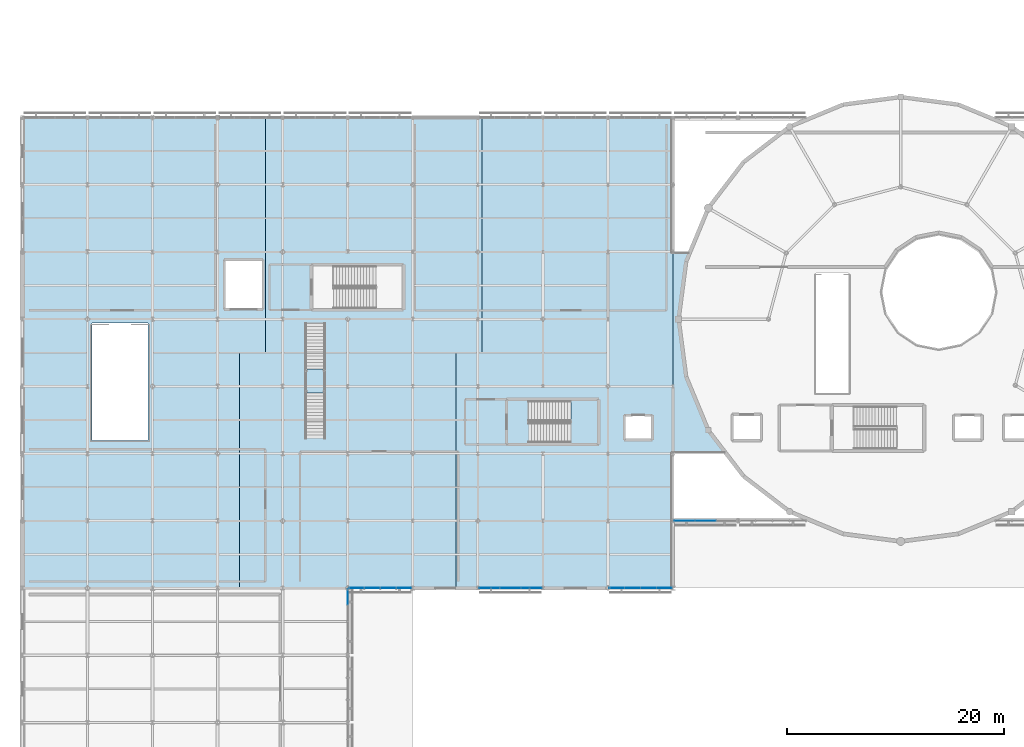
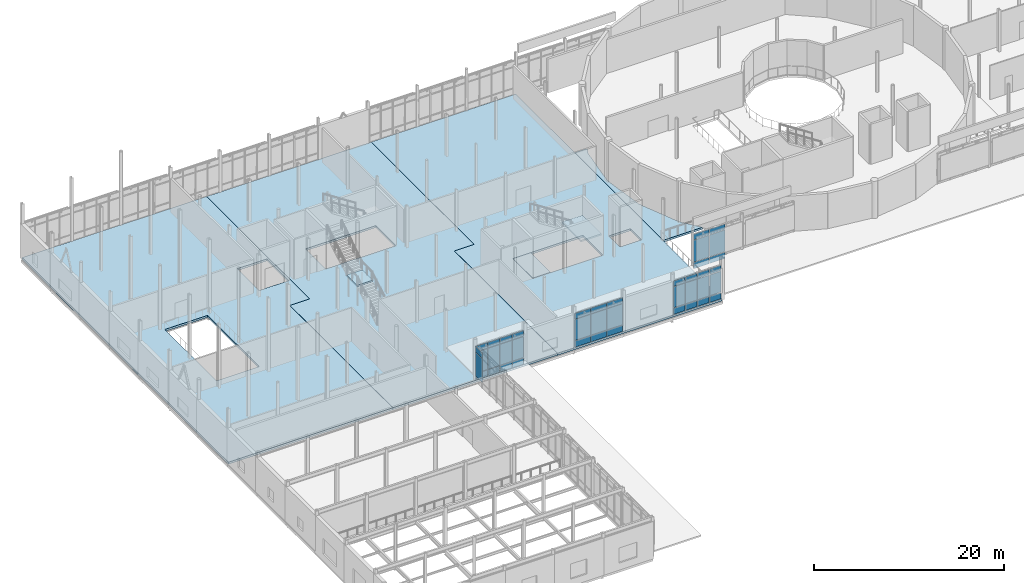
# One storey, part 56 of 105: 41 plates, 7 slabs, 7 elements without a shape of their own.
"""IFC4 building model written with IfcOpenShell, lengths in metres."""

from ifc_helpers import new_model, si_unit, direction, frame, origin, origin_2d, place, context, subcontext, project, spatial, polyline, rectangle, outline, extrude, material, layer, layer_set, type_object, element, aggregate, save


model = new_model("IFC4")

# Units and contexts
model_context = context("Model", 3, precision=1e-05, world=origin(), true_north=direction((0.0, 1.0)))
body_context = subcontext(model_context, "Body", "Model", "MODEL_VIEW")
ifc_project = project(units=[si_unit("LENGTHUNIT", "METRE"), si_unit("AREAUNIT", "SQUARE_METRE"), si_unit("VOLUMEUNIT", "CUBIC_METRE"), si_unit("PLANEANGLEUNIT", "RADIAN"), si_unit("MASSUNIT", "GRAM", prefix="KILO")], contexts=[model_context])

# Site, building, storey
site_placement = place(None, origin())
site = spatial("IfcSite", under=ifc_project, at=site_placement, CompositionType="ELEMENT")
building_placement = place(site_placement, origin())
building = spatial("IfcBuilding", under=site, at=building_placement, Name="Mirzam Square Science Centre", CompositionType="ELEMENT")
storey_placement = place(building_placement, frame((0.0, 0.0, 5.39990234375)))
storey = spatial("IfcBuildingStorey", under=building, at=storey_placement, Name="L01", CompositionType="ELEMENT", Elevation=5.39990234375)

# Curtain wall, plates
ifc_material_1 = material(Name="Anodised Aluminium and Low-E Solar Glass", Category="aluminium")
ifc_layer_1 = layer(ifc_material_1, 0.239990234375)
ifc_layer_set_1 = layer_set([ifc_layer_1], Name="CW-EAST-B")
curtain_wall_type_1 = type_object("IfcCurtainWallType", Name="CW-EAST-B", PredefinedType="USERDEFINED", material=ifc_layer_set_1)
curtain_wall_1_placement = place(storey_placement, origin())
curtain_wall_1 = element("IfcCurtainWall", 1, at=curtain_wall_1_placement, inside=storey, type_object=curtain_wall_type_1, Name="L01 unitised curtain wall 51", ObjectType="UNITISED CURTAIN WALL", PredefinedType="USERDEFINED")
ifc_material_2 = material(Name="Ceramic-Fritted Courtyard Solar Glass", Category="glass")
ifc_layer_2 = layer(ifc_material_2, 0.02392578125)
ifc_layer_set_2 = layer_set([ifc_layer_2], Name="CWP-GLZ-24")
plate_type_1 = type_object("IfcPlateType", Name="CWP-GLZ-24", PredefinedType="CURTAIN_PANEL", material=ifc_layer_set_2)
plate_1_placement = place(storey_placement, frame((61.052978515625, 43.39990234375, 0.06494140625), z_axis=(0.0, 0.0, 1.0), x_axis=(1.0, 0.0, 0.0)))
plate_1 = element("IfcPlate", 2, at=plate_1_placement, type_object=plate_type_1, Name="CW-06 panel 1.1", PredefinedType="CURTAIN_PANEL", context=body_context, shape_type="SweptSolid", body=[
    extrude(rectangle(XDim=1.86572265625, YDim=0.02392578125, at=origin_2d()), origin(), (0.0, 0.0, 1.0), 0.802490234375),
])
plate_2_placement = place(storey_placement, frame((61.052978515625, 43.39990234375, 0.9326171875), z_axis=(0.0, 0.0, 1.0), x_axis=(1.0, 0.0, 0.0)))
plate_2 = element("IfcPlate", 3, at=plate_2_placement, type_object=plate_type_1, Name="CW-06 panel 1.2", PredefinedType="CURTAIN_PANEL", context=body_context, shape_type="SweptSolid", body=[
    extrude(rectangle(XDim=1.86572265625, YDim=0.02392578125, at=origin_2d()), origin(), (0.0, 0.0, 1.0), 2.784912109375),
])
plate_3_placement = place(storey_placement, frame((61.052978515625, 43.39990234375, 3.78271484375), z_axis=(0.0, 0.0, 1.0), x_axis=(1.0, 0.0, 0.0)))
plate_3 = element("IfcPlate", 4, at=plate_3_placement, type_object=plate_type_1, Name="CW-06 panel 1.3", PredefinedType="CURTAIN_PANEL", context=body_context, shape_type="SweptSolid", body=[
    extrude(rectangle(XDim=1.86572265625, YDim=0.02392578125, at=origin_2d()), origin(), (0.0, 0.0, 1.0), 0.702392578125),
])
plate_4_placement = place(storey_placement, frame((63.0, 43.39990234375, 0.06494140625), z_axis=(0.0, 0.0, 1.0), x_axis=(1.0, 0.0, 0.0)))
plate_4 = element("IfcPlate", 5, at=plate_4_placement, type_object=plate_type_1, Name="CW-06 panel 2.1", PredefinedType="CURTAIN_PANEL", context=body_context, shape_type="SweptSolid", body=[
    extrude(rectangle(XDim=1.8984375, YDim=0.02392578125, at=origin_2d()), origin(), (0.0, 0.0, 1.0), 0.802490234375),
])
plate_5_placement = place(storey_placement, frame((63.0, 43.39990234375, 0.9326171875), z_axis=(0.0, 0.0, 1.0), x_axis=(1.0, 0.0, 0.0)))
plate_5 = element("IfcPlate", 6, at=plate_5_placement, type_object=plate_type_1, Name="CW-06 panel 2.2", PredefinedType="CURTAIN_PANEL", context=body_context, shape_type="SweptSolid", body=[
    extrude(rectangle(XDim=1.8984375, YDim=0.02392578125, at=origin_2d()), origin(), (0.0, 0.0, 1.0), 2.784912109375),
])
plate_6_placement = place(storey_placement, frame((63.0, 43.39990234375, 3.78271484375), z_axis=(0.0, 0.0, 1.0), x_axis=(1.0, 0.0, 0.0)))
plate_6 = element("IfcPlate", 7, at=plate_6_placement, type_object=plate_type_1, Name="CW-06 panel 2.3", PredefinedType="CURTAIN_PANEL", context=body_context, shape_type="SweptSolid", body=[
    extrude(rectangle(XDim=1.8984375, YDim=0.02392578125, at=origin_2d()), origin(), (0.0, 0.0, 1.0), 0.702392578125),
])
aggregate(curtain_wall_1, [plate_1, plate_2, plate_3, plate_4, plate_5, plate_6])

ifc_layer_3 = layer(ifc_material_1, 0.159912109375)
ifc_layer_set_3 = layer_set([ifc_layer_3], Name="CW-COURT-B")
curtain_wall_type_2 = type_object("IfcCurtainWallType", Name="CW-COURT-B", PredefinedType="USERDEFINED", material=ifc_layer_set_3)
curtain_wall_2_placement = place(storey_placement, origin())
curtain_wall_2 = element("IfcCurtainWall", 8, at=curtain_wall_2_placement, inside=storey, type_object=curtain_wall_type_2, Name="L01 unitised curtain wall 20", ObjectType="UNITISED CURTAIN WALL", PredefinedType="USERDEFINED")
ifc_material_3 = material(Name="Triple-Glazed Acoustic Low-E Solar Glass", Category="glass")
ifc_layer_4 = layer(ifc_material_3, 0.031982421875)
ifc_layer_set_4 = layer_set([ifc_layer_4], Name="CWP-GLZ-32")
plate_type_2 = type_object("IfcPlateType", Name="CWP-GLZ-32", PredefinedType="CURTAIN_PANEL", material=ifc_layer_set_4)
plate_7_placement = place(storey_placement, frame((54.81005859375, 37.199951171875, 0.074951171875), z_axis=(0.0, 0.0, 1.0), x_axis=(1.0, 0.0, 0.0)))
plate_7 = element("IfcPlate", 9, at=plate_7_placement, type_object=plate_type_2, Name="CW-04 panel 1.1", PredefinedType="CURTAIN_PANEL", context=body_context, shape_type="SweptSolid", body=[
    extrude(rectangle(XDim=1.360107421875, YDim=0.031982421875, at=origin_2d()), origin(), (0.0, 0.0, 1.0), 0.78759765625),
])
plate_8_placement = place(storey_placement, frame((54.81005859375, 37.199951171875, 0.9375), z_axis=(0.0, 0.0, 1.0), x_axis=(1.0, 0.0, 0.0)))
plate_8 = element("IfcPlate", 10, at=plate_8_placement, type_object=plate_type_2, Name="CW-04 panel 1.2", PredefinedType="CURTAIN_PANEL", context=body_context, shape_type="SweptSolid", body=[
    extrude(rectangle(XDim=1.360107421875, YDim=0.031982421875, at=origin_2d()), origin(), (0.0, 0.0, 1.0), 2.6650390625),
])
plate_9_placement = place(storey_placement, frame((54.81005859375, 37.199951171875, 3.677490234375), z_axis=(0.0, 0.0, 1.0), x_axis=(1.0, 0.0, 0.0)))
plate_9 = element("IfcPlate", 11, at=plate_9_placement, type_object=plate_type_2, Name="CW-04 panel 1.3", PredefinedType="CURTAIN_PANEL", context=body_context, shape_type="SweptSolid", body=[
    extrude(rectangle(XDim=1.360107421875, YDim=0.031982421875, at=origin_2d()), origin(), (0.0, 0.0, 1.0), 0.6875),
])
plate_10_placement = place(storey_placement, frame((56.263671875, 37.199951171875, 0.074951171875), z_axis=(0.0, 0.0, 1.0), x_axis=(1.0, 0.0, 0.0)))
plate_10 = element("IfcPlate", 12, at=plate_10_placement, type_object=plate_type_2, Name="CW-04 panel 2.1", PredefinedType="CURTAIN_PANEL", context=body_context, shape_type="SweptSolid", body=[
    extrude(rectangle(XDim=1.3974609375, YDim=0.031982421875, at=origin_2d()), origin(), (0.0, 0.0, 1.0), 0.78759765625),
])
plate_11_placement = place(storey_placement, frame((56.263671875, 37.199951171875, 0.9375), z_axis=(0.0, 0.0, 1.0), x_axis=(1.0, 0.0, 0.0)))
plate_11 = element("IfcPlate", 13, at=plate_11_placement, type_object=plate_type_2, Name="CW-04 panel 2.2", PredefinedType="CURTAIN_PANEL", context=body_context, shape_type="SweptSolid", body=[
    extrude(rectangle(XDim=1.3974609375, YDim=0.031982421875, at=origin_2d()), origin(), (0.0, 0.0, 1.0), 2.6650390625),
])
plate_12_placement = place(storey_placement, frame((56.263671875, 37.199951171875, 3.677490234375), z_axis=(0.0, 0.0, 1.0), x_axis=(1.0, 0.0, 0.0)))
plate_12 = element("IfcPlate", 14, at=plate_12_placement, type_object=plate_type_2, Name="CW-04 panel 2.3", PredefinedType="CURTAIN_PANEL", context=body_context, shape_type="SweptSolid", body=[
    extrude(rectangle(XDim=1.3974609375, YDim=0.031982421875, at=origin_2d()), origin(), (0.0, 0.0, 1.0), 0.6875),
])
plate_13_placement = place(storey_placement, frame((57.736328125, 37.199951171875, 0.074951171875), z_axis=(0.0, 0.0, 1.0), x_axis=(1.0, 0.0, 0.0)))
plate_13 = element("IfcPlate", 15, at=plate_13_placement, type_object=plate_type_2, Name="CW-04 panel 3.1", PredefinedType="CURTAIN_PANEL", context=body_context, shape_type="SweptSolid", body=[
    extrude(rectangle(XDim=1.3974609375, YDim=0.031982421875, at=origin_2d()), origin(), (0.0, 0.0, 1.0), 0.78759765625),
])
plate_14_placement = place(storey_placement, frame((57.736328125, 37.199951171875, 0.9375), z_axis=(0.0, 0.0, 1.0), x_axis=(1.0, 0.0, 0.0)))
plate_14 = element("IfcPlate", 16, at=plate_14_placement, type_object=plate_type_2, Name="CW-04 panel 3.2", PredefinedType="CURTAIN_PANEL", context=body_context, shape_type="SweptSolid", body=[
    extrude(rectangle(XDim=1.3974609375, YDim=0.031982421875, at=origin_2d()), origin(), (0.0, 0.0, 1.0), 2.6650390625),
])
plate_15_placement = place(storey_placement, frame((57.736328125, 37.199951171875, 3.677490234375), z_axis=(0.0, 0.0, 1.0), x_axis=(1.0, 0.0, 0.0)))
plate_15 = element("IfcPlate", 17, at=plate_15_placement, type_object=plate_type_2, Name="CW-04 panel 3.3", PredefinedType="CURTAIN_PANEL", context=body_context, shape_type="SweptSolid", body=[
    extrude(rectangle(XDim=1.3974609375, YDim=0.031982421875, at=origin_2d()), origin(), (0.0, 0.0, 1.0), 0.6875),
])
plate_16_placement = place(storey_placement, frame((59.18994140625, 37.199951171875, 0.074951171875), z_axis=(0.0, 0.0, 1.0), x_axis=(1.0, 0.0, 0.0)))
plate_16 = element("IfcPlate", 18, at=plate_16_placement, type_object=plate_type_2, Name="CW-04 panel 4.1", PredefinedType="CURTAIN_PANEL", context=body_context, shape_type="SweptSolid", body=[
    extrude(rectangle(XDim=1.360107421875, YDim=0.031982421875, at=origin_2d()), origin(), (0.0, 0.0, 1.0), 0.78759765625),
])
plate_17_placement = place(storey_placement, frame((59.18994140625, 37.199951171875, 0.9375), z_axis=(0.0, 0.0, 1.0), x_axis=(1.0, 0.0, 0.0)))
plate_17 = element("IfcPlate", 19, at=plate_17_placement, type_object=plate_type_2, Name="CW-04 panel 4.2", PredefinedType="CURTAIN_PANEL", context=body_context, shape_type="SweptSolid", body=[
    extrude(rectangle(XDim=1.360107421875, YDim=0.031982421875, at=origin_2d()), origin(), (0.0, 0.0, 1.0), 2.6650390625),
])
plate_18_placement = place(storey_placement, frame((59.18994140625, 37.199951171875, 3.677490234375), z_axis=(0.0, 0.0, 1.0), x_axis=(1.0, 0.0, 0.0)))
plate_18 = element("IfcPlate", 20, at=plate_18_placement, type_object=plate_type_2, Name="CW-04 panel 4.3", PredefinedType="CURTAIN_PANEL", context=body_context, shape_type="SweptSolid", body=[
    extrude(rectangle(XDim=1.360107421875, YDim=0.031982421875, at=origin_2d()), origin(), (0.0, 0.0, 1.0), 0.6875),
])
aggregate(curtain_wall_2, [plate_7, plate_8, plate_9, plate_10, plate_11, plate_12, plate_13, plate_14, plate_15, plate_16, plate_17, plate_18])

ifc_layer_5 = layer(ifc_material_1, 0.219970703125)
ifc_layer_set_5 = layer_set([ifc_layer_5], Name="CW-OBS-A")
curtain_wall_type_3 = type_object("IfcCurtainWallType", Name="CW-OBS-A", PredefinedType="USERDEFINED", material=ifc_layer_set_5)
curtain_wall_3_placement = place(storey_placement, origin())
curtain_wall_3 = element("IfcCurtainWall", 21, at=curtain_wall_3_placement, inside=storey, type_object=curtain_wall_type_3, Name="L01 unitised curtain wall 45", ObjectType="UNITISED CURTAIN WALL", PredefinedType="USERDEFINED")
plate_19_placement = place(storey_placement, frame((30.0, 36.36865234375, 0.68017578125), z_axis=(0.0, 0.0, 1.0), x_axis=(0.0, 1.0, 0.0)))
plate_19 = element("IfcPlate", 22, at=plate_19_placement, type_object=plate_type_2, Name="CW-07 panel 4.2", PredefinedType="CURTAIN_PANEL", context=body_context, shape_type="SweptSolid", body=[
    extrude(rectangle(XDim=1.4326171875, YDim=0.031982421875, at=origin_2d()), origin(), (0.0, 0.0, 1.0), 3.0400390625),
])
plate_20_placement = place(storey_placement, frame((30.0, 36.36865234375, 3.780029296875), z_axis=(0.0, 0.0, 1.0), x_axis=(0.0, 1.0, 0.0)))
plate_20 = element("IfcPlate", 23, at=plate_20_placement, type_object=plate_type_2, Name="CW-07 panel 4.3", PredefinedType="CURTAIN_PANEL", context=body_context, shape_type="SweptSolid", body=[
    extrude(rectangle(XDim=1.4326171875, YDim=0.031982421875, at=origin_2d()), origin(), (0.0, 0.0, 1.0), 0.7099609375),
])
aggregate(curtain_wall_3, [plate_19, plate_20])

ifc_layer_6 = layer(ifc_material_1, 0.179931640625)
ifc_layer_set_6 = layer_set([ifc_layer_6], Name="CW-LINK-A")
curtain_wall_type_4 = type_object("IfcCurtainWallType", Name="CW-LINK-A", PredefinedType="USERDEFINED", material=ifc_layer_set_6)
curtain_wall_4_placement = place(storey_placement, origin())
curtain_wall_4 = element("IfcCurtainWall", 24, at=curtain_wall_4_placement, inside=storey, type_object=curtain_wall_type_4, Name="L01 unitised curtain wall 18", ObjectType="UNITISED CURTAIN WALL", PredefinedType="USERDEFINED")
ifc_material_4 = material(Name="Laminated Low-Iron Observatory Solar Glass", Category="glass")
ifc_layer_7 = layer(ifc_material_4, 0.035888671875)
ifc_layer_set_7 = layer_set([ifc_layer_7], Name="CWP-GLZ-36")
plate_type_3 = type_object("IfcPlateType", Name="CWP-GLZ-36", PredefinedType="CURTAIN_PANEL", material=ifc_layer_set_7)
plate_21_placement = place(storey_placement, frame((30.8076171875, 37.199951171875, 0.06494140625), z_axis=(0.0, 0.0, 1.0), x_axis=(1.0, 0.0, 0.0)))
plate_21 = element("IfcPlate", 25, at=plate_21_placement, type_object=plate_type_3, Name="CW-08 panel 1.1", PredefinedType="CURTAIN_PANEL", context=body_context, shape_type="SweptSolid", body=[
    extrude(rectangle(XDim=1.375, YDim=0.035888671875, at=origin_2d()), origin(), (0.0, 0.0, 1.0), 0.802490234375),
])
plate_22_placement = place(storey_placement, frame((30.8076171875, 37.199951171875, 0.9326171875), z_axis=(0.0, 0.0, 1.0), x_axis=(1.0, 0.0, 0.0)))
plate_22 = element("IfcPlate", 26, at=plate_22_placement, type_object=plate_type_3, Name="CW-08 panel 1.2", PredefinedType="CURTAIN_PANEL", context=body_context, shape_type="SweptSolid", body=[
    extrude(rectangle(XDim=1.375, YDim=0.035888671875, at=origin_2d()), origin(), (0.0, 0.0, 1.0), 2.675048828125),
])
plate_23_placement = place(storey_placement, frame((30.8076171875, 37.199951171875, 3.6728515625), z_axis=(0.0, 0.0, 1.0), x_axis=(1.0, 0.0, 0.0)))
plate_23 = element("IfcPlate", 27, at=plate_23_placement, type_object=plate_type_3, Name="CW-08 panel 1.3", PredefinedType="CURTAIN_PANEL", context=body_context, shape_type="SweptSolid", body=[
    extrude(rectangle(XDim=1.375, YDim=0.035888671875, at=origin_2d()), origin(), (0.0, 0.0, 1.0), 0.702392578125),
])
plate_24_placement = place(storey_placement, frame((32.263671875, 37.199951171875, 0.06494140625), z_axis=(0.0, 0.0, 1.0), x_axis=(1.0, 0.0, 0.0)))
plate_24 = element("IfcPlate", 28, at=plate_24_placement, type_object=plate_type_3, Name="CW-08 panel 2.1", PredefinedType="CURTAIN_PANEL", context=body_context, shape_type="SweptSolid", body=[
    extrude(rectangle(XDim=1.407470703125, YDim=0.035888671875, at=origin_2d()), origin(), (0.0, 0.0, 1.0), 0.802490234375),
])
plate_25_placement = place(storey_placement, frame((32.263671875, 37.199951171875, 0.9326171875), z_axis=(0.0, 0.0, 1.0), x_axis=(1.0, 0.0, 0.0)))
plate_25 = element("IfcPlate", 29, at=plate_25_placement, type_object=plate_type_3, Name="CW-08 panel 2.2", PredefinedType="CURTAIN_PANEL", context=body_context, shape_type="SweptSolid", body=[
    extrude(rectangle(XDim=1.407470703125, YDim=0.035888671875, at=origin_2d()), origin(), (0.0, 0.0, 1.0), 2.675048828125),
])
plate_26_placement = place(storey_placement, frame((32.263671875, 37.199951171875, 3.6728515625), z_axis=(0.0, 0.0, 1.0), x_axis=(1.0, 0.0, 0.0)))
plate_26 = element("IfcPlate", 30, at=plate_26_placement, type_object=plate_type_3, Name="CW-08 panel 2.3", PredefinedType="CURTAIN_PANEL", context=body_context, shape_type="SweptSolid", body=[
    extrude(rectangle(XDim=1.407470703125, YDim=0.035888671875, at=origin_2d()), origin(), (0.0, 0.0, 1.0), 0.702392578125),
])
plate_27_placement = place(storey_placement, frame((33.736328125, 37.199951171875, 0.06494140625), z_axis=(0.0, 0.0, 1.0), x_axis=(1.0, 0.0, 0.0)))
plate_27 = element("IfcPlate", 31, at=plate_27_placement, type_object=plate_type_3, Name="CW-08 panel 3.1", PredefinedType="CURTAIN_PANEL", context=body_context, shape_type="SweptSolid", body=[
    extrude(rectangle(XDim=1.407470703125, YDim=0.035888671875, at=origin_2d()), origin(), (0.0, 0.0, 1.0), 0.802490234375),
])
plate_28_placement = place(storey_placement, frame((33.736328125, 37.199951171875, 0.9326171875), z_axis=(0.0, 0.0, 1.0), x_axis=(1.0, 0.0, 0.0)))
plate_28 = element("IfcPlate", 32, at=plate_28_placement, type_object=plate_type_3, Name="CW-08 panel 3.2", PredefinedType="CURTAIN_PANEL", context=body_context, shape_type="SweptSolid", body=[
    extrude(rectangle(XDim=1.407470703125, YDim=0.035888671875, at=origin_2d()), origin(), (0.0, 0.0, 1.0), 2.675048828125),
])
plate_29_placement = place(storey_placement, frame((33.736328125, 37.199951171875, 3.6728515625), z_axis=(0.0, 0.0, 1.0), x_axis=(1.0, 0.0, 0.0)))
plate_29 = element("IfcPlate", 33, at=plate_29_placement, type_object=plate_type_3, Name="CW-08 panel 3.3", PredefinedType="CURTAIN_PANEL", context=body_context, shape_type="SweptSolid", body=[
    extrude(rectangle(XDim=1.407470703125, YDim=0.035888671875, at=origin_2d()), origin(), (0.0, 0.0, 1.0), 0.702392578125),
])
plate_30_placement = place(storey_placement, frame((35.1923828125, 37.199951171875, 0.06494140625), z_axis=(0.0, 0.0, 1.0), x_axis=(1.0, 0.0, 0.0)))
plate_30 = element("IfcPlate", 34, at=plate_30_placement, type_object=plate_type_3, Name="CW-08 panel 4.1", PredefinedType="CURTAIN_PANEL", context=body_context, shape_type="SweptSolid", body=[
    extrude(rectangle(XDim=1.375, YDim=0.035888671875, at=origin_2d()), origin(), (0.0, 0.0, 1.0), 0.802490234375),
])
plate_31_placement = place(storey_placement, frame((35.1923828125, 37.199951171875, 0.9326171875), z_axis=(0.0, 0.0, 1.0), x_axis=(1.0, 0.0, 0.0)))
plate_31 = element("IfcPlate", 35, at=plate_31_placement, type_object=plate_type_3, Name="CW-08 panel 4.2", PredefinedType="CURTAIN_PANEL", context=body_context, shape_type="SweptSolid", body=[
    extrude(rectangle(XDim=1.375, YDim=0.035888671875, at=origin_2d()), origin(), (0.0, 0.0, 1.0), 2.675048828125),
])
plate_32_placement = place(storey_placement, frame((35.1923828125, 37.199951171875, 3.6728515625), z_axis=(0.0, 0.0, 1.0), x_axis=(1.0, 0.0, 0.0)))
plate_32 = element("IfcPlate", 36, at=plate_32_placement, type_object=plate_type_3, Name="CW-08 panel 4.3", PredefinedType="CURTAIN_PANEL", context=body_context, shape_type="SweptSolid", body=[
    extrude(rectangle(XDim=1.375, YDim=0.035888671875, at=origin_2d()), origin(), (0.0, 0.0, 1.0), 0.702392578125),
])
aggregate(curtain_wall_4, [plate_21, plate_22, plate_23, plate_24, plate_25, plate_26, plate_27, plate_28, plate_29, plate_30, plate_31, plate_32])

ifc_layer_8 = layer(ifc_material_1, 0.199951171875)
ifc_layer_set_8 = layer_set([ifc_layer_8], Name="CW-PARK-B")
curtain_wall_type_5 = type_object("IfcCurtainWallType", Name="CW-PARK-B", PredefinedType="USERDEFINED", material=ifc_layer_set_8)
curtain_wall_5_placement = place(storey_placement, origin())
curtain_wall_5 = element("IfcCurtainWall", 37, at=curtain_wall_5_placement, inside=storey, type_object=curtain_wall_type_5, Name="L01 unitised curtain wall 19", ObjectType="UNITISED CURTAIN WALL", PredefinedType="USERDEFINED")
ifc_material_5 = material(Name="Acoustic Laminated Solar Spandrel Glass", Category="glass")
ifc_layer_9 = layer(ifc_material_5, 0.0400390625)
ifc_layer_set_9 = layer_set([ifc_layer_9], Name="CWP-GLZ-40")
plate_type_4 = type_object("IfcPlateType", Name="CWP-GLZ-40", PredefinedType="CURTAIN_PANEL", material=ifc_layer_set_9)
plate_33_placement = place(storey_placement, frame((43.0517578125, 37.199951171875, 0.06005859375), z_axis=(0.0, 0.0, 1.0), x_axis=(1.0, 0.0, 0.0)))
plate_33 = element("IfcPlate", 38, at=plate_33_placement, type_object=plate_type_4, Name="CW-02 panel 1.1", PredefinedType="CURTAIN_PANEL", context=body_context, shape_type="SweptSolid", body=[
    extrude(rectangle(XDim=1.873291015625, YDim=0.0400390625, at=origin_2d()), origin(), (0.0, 0.0, 1.0), 0.81005859375),
])
plate_34_placement = place(storey_placement, frame((43.0517578125, 37.199951171875, 0.93017578125), z_axis=(0.0, 0.0, 1.0), x_axis=(1.0, 0.0, 0.0)))
plate_34 = element("IfcPlate", 39, at=plate_34_placement, type_object=plate_type_4, Name="CW-02 panel 1.2", PredefinedType="CURTAIN_PANEL", context=body_context, shape_type="SweptSolid", body=[
    extrude(rectangle(XDim=1.873291015625, YDim=0.0400390625, at=origin_2d()), origin(), (0.0, 0.0, 1.0), 2.679931640625),
])
plate_35_placement = place(storey_placement, frame((43.0517578125, 37.199951171875, 3.670166015625), z_axis=(0.0, 0.0, 1.0), x_axis=(1.0, 0.0, 0.0)))
plate_35 = element("IfcPlate", 40, at=plate_35_placement, type_object=plate_type_4, Name="CW-02 panel 1.3", PredefinedType="CURTAIN_PANEL", context=body_context, shape_type="SweptSolid", body=[
    extrude(rectangle(XDim=1.873291015625, YDim=0.0400390625, at=origin_2d()), origin(), (0.0, 0.0, 1.0), 0.7099609375),
])
plate_36_placement = place(storey_placement, frame((45.0, 37.199951171875, 0.06005859375), z_axis=(0.0, 0.0, 1.0), x_axis=(1.0, 0.0, 0.0)))
plate_36 = element("IfcPlate", 41, at=plate_36_placement, type_object=plate_type_4, Name="CW-02 panel 2.1", PredefinedType="CURTAIN_PANEL", context=body_context, shape_type="SweptSolid", body=[
    extrude(rectangle(XDim=1.9033203125, YDim=0.0400390625, at=origin_2d()), origin(), (0.0, 0.0, 1.0), 0.81005859375),
])
plate_37_placement = place(storey_placement, frame((45.0, 37.199951171875, 0.93017578125), z_axis=(0.0, 0.0, 1.0), x_axis=(1.0, 0.0, 0.0)))
plate_37 = element("IfcPlate", 42, at=plate_37_placement, type_object=plate_type_4, Name="CW-02 panel 2.2", PredefinedType="CURTAIN_PANEL", context=body_context, shape_type="SweptSolid", body=[
    extrude(rectangle(XDim=1.9033203125, YDim=0.0400390625, at=origin_2d()), origin(), (0.0, 0.0, 1.0), 2.679931640625),
])
plate_38_placement = place(storey_placement, frame((45.0, 37.199951171875, 3.670166015625), z_axis=(0.0, 0.0, 1.0), x_axis=(1.0, 0.0, 0.0)))
plate_38 = element("IfcPlate", 43, at=plate_38_placement, type_object=plate_type_4, Name="CW-02 panel 2.3", PredefinedType="CURTAIN_PANEL", context=body_context, shape_type="SweptSolid", body=[
    extrude(rectangle(XDim=1.9033203125, YDim=0.0400390625, at=origin_2d()), origin(), (0.0, 0.0, 1.0), 0.7099609375),
])
plate_39_placement = place(storey_placement, frame((46.9482421875, 37.199951171875, 0.06005859375), z_axis=(0.0, 0.0, 1.0), x_axis=(1.0, 0.0, 0.0)))
plate_39 = element("IfcPlate", 44, at=plate_39_placement, type_object=plate_type_4, Name="CW-02 panel 3.1", PredefinedType="CURTAIN_PANEL", context=body_context, shape_type="SweptSolid", body=[
    extrude(rectangle(XDim=1.873291015625, YDim=0.0400390625, at=origin_2d()), origin(), (0.0, 0.0, 1.0), 0.81005859375),
])
plate_40_placement = place(storey_placement, frame((46.9482421875, 37.199951171875, 0.93017578125), z_axis=(0.0, 0.0, 1.0), x_axis=(1.0, 0.0, 0.0)))
plate_40 = element("IfcPlate", 45, at=plate_40_placement, type_object=plate_type_4, Name="CW-02 panel 3.2", PredefinedType="CURTAIN_PANEL", context=body_context, shape_type="SweptSolid", body=[
    extrude(rectangle(XDim=1.873291015625, YDim=0.0400390625, at=origin_2d()), origin(), (0.0, 0.0, 1.0), 2.679931640625),
])
plate_41_placement = place(storey_placement, frame((46.9482421875, 37.199951171875, 3.670166015625), z_axis=(0.0, 0.0, 1.0), x_axis=(1.0, 0.0, 0.0)))
plate_41 = element("IfcPlate", 46, at=plate_41_placement, type_object=plate_type_4, Name="CW-02 panel 3.3", PredefinedType="CURTAIN_PANEL", context=body_context, shape_type="SweptSolid", body=[
    extrude(rectangle(XDim=1.873291015625, YDim=0.0400390625, at=origin_2d()), origin(), (0.0, 0.0, 1.0), 0.7099609375),
])
aggregate(curtain_wall_5, [plate_33, plate_34, plate_35, plate_36, plate_37, plate_38, plate_39, plate_40, plate_41])

# Slabs
ifc_material_6 = material(Name="Concrete C40/50", Category="concrete")
ifc_layer_10 = layer(ifc_material_6, 0.260009765625)
ifc_layer_set_10 = layer_set([ifc_layer_10], Name="SL-EXH-260")
slab_type_1 = type_object("IfcSlabType", Name="SL-EXH-260", PredefinedType="FLOOR", material=ifc_layer_set_10)
slab_1_placement = place(storey_placement, frame((0.0, 0.0, -0.260009765625)))
element("IfcSlab", 47, at=slab_1_placement, inside=storey, type_object=slab_type_1, Name="L01 drum link slab", PredefinedType="FLOOR", context=body_context, shape_type="SweptSolid", body=[
    extrude(outline(polyline([(61.504638671875, 68.199951171875), (61.140625, 67.3212890625), (60.43994140625, 62.0), (61.140625, 56.6787109375), (63.194580078125, 51.719970703125), (64.8212890625, 49.60009765625), (60.0, 49.60009765625), (60.0, 68.199951171875), (61.504638671875, 68.199951171875)])), origin(), (0.0, 0.0, 1.0), 0.260009765625),
])
slab_2_placement = place(storey_placement, frame((0.0, 0.0, -0.260009765625)))
element("IfcSlab", 48, at=slab_2_placement, inside=storey, type_object=slab_type_1, Name="L01 wedge 1 slab", PredefinedType="FLOOR", context=body_context, shape_type="SweptSolid", body=[
    extrude(outline(polyline([(0.0, 80.60009765625), (22.39990234375, 80.60009765625), (22.39990234375, 58.89990234375), (20.0, 58.89990234375), (20.0, 37.199951171875), (0.0, 37.199951171875), (0.0, 80.60009765625)]), holes=[polyline([(11.60009765625, 61.64990234375), (6.39990234375, 61.64990234375), (6.39990234375, 50.800048828125), (11.60009765625, 50.800048828125), (11.60009765625, 61.64990234375)]), polyline([(22.199951171875, 67.5), (18.60009765625, 67.5), (18.60009765625, 62.89990234375), (22.199951171875, 62.89990234375), (22.199951171875, 67.5)])]), origin(), (0.0, 0.0, 1.0), 0.260009765625),
])
slab_3_placement = place(storey_placement, frame((0.0, 0.0, -0.260009765625)))
element("IfcSlab", 49, at=slab_3_placement, inside=storey, type_object=slab_type_1, Name="L01 wedge 2 slab", PredefinedType="FLOOR", context=body_context, shape_type="SweptSolid", body=[
    extrude(outline(polyline([(42.39990234375, 80.60009765625), (42.39990234375, 58.89990234375), (40.0, 58.89990234375), (40.0, 37.199951171875), (20.0048828125, 37.199951171875), (20.0048828125, 58.89501953125), (22.405029296875, 58.89501953125), (22.405029296875, 80.60009765625), (42.39990234375, 80.60009765625)]), holes=[polyline([(35.159912109375, 62.840087890625), (35.159912109375, 67.050048828125), (26.639892578125, 67.050048828125), (26.639892578125, 62.840087890625), (35.159912109375, 62.840087890625)])]), origin(), (0.0, 0.0, 1.0), 0.260009765625),
])
slab_4_placement = place(storey_placement, frame((0.0, 0.0, -0.260009765625)))
element("IfcSlab", 50, at=slab_4_placement, inside=storey, type_object=slab_type_1, Name="L01 wedge 3 slab", PredefinedType="FLOOR", context=body_context, shape_type="SweptSolid", body=[
    extrude(outline(polyline([(60.0, 80.60009765625), (60.0, 68.205078125), (60.0, 37.199951171875), (40.0048828125, 37.199951171875), (40.0048828125, 58.89501953125), (42.405029296875, 58.89501953125), (42.405029296875, 80.60009765625), (60.0, 80.60009765625)]), holes=[polyline([(58.10009765625, 53.14990234375), (55.5, 53.14990234375), (55.5, 50.85009765625), (58.10009765625, 50.85009765625), (58.10009765625, 53.14990234375)]), polyline([(53.159912109375, 54.610107421875), (44.639892578125, 54.610107421875), (44.639892578125, 50.43994140625), (53.159912109375, 50.43994140625), (53.159912109375, 54.610107421875)])]), origin(), (0.0, 0.0, 1.0), 0.260009765625),
])

# Stair, slab
stair_type_1 = type_object("IfcStairType", Name="ST-CORE-1-540", PredefinedType="HALF_TURN_STAIR", material=ifc_material_6)
stair_1_placement = place(storey_placement, origin())
stair_1 = element("IfcStair", 51, at=stair_1_placement, inside=storey, type_object=stair_type_1, Name="L01 ST-01", PredefinedType="HALF_TURN_STAIR")
ifc_layer_11 = layer(ifc_material_6, 0.199951171875)
ifc_layer_set_11 = layer_set([ifc_layer_11], Name="SL-LANDING-200")
slab_type_2 = type_object("IfcSlabType", Name="SL-LANDING-200", PredefinedType="LANDING", material=ifc_layer_set_11)
slab_5_placement = place(storey_placement, frame((0.0, 0.0, 2.5)))
slab_5 = element("IfcSlab", 52, at=slab_5_placement, type_object=slab_type_2, Name="ST-01 landing 1", PredefinedType="LANDING", context=body_context, shape_type="SweptSolid", body=[
    extrude(outline(polyline([(50.570068359375, 50.550048828125), (53.050048828125, 50.550048828125), (53.050048828125, 54.5), (50.570068359375, 54.5), (50.570068359375, 50.550048828125)])), origin(), (0.0, 0.0, 1.0), 0.2001953125),
])
aggregate(stair_1, [slab_5])

# Slab
slab_6_placement = place(storey_placement, frame((0.0, 0.0, -0.199951171875)))
element("IfcSlab", 53, at=slab_6_placement, inside=storey, type_object=slab_type_2, Name="L01 CORE-1 floor landing", PredefinedType="LANDING", context=body_context, shape_type="SweptSolid", body=[
    extrude(outline(polyline([(46.800048828125, 50.445068359375), (44.64501953125, 50.445068359375), (44.64501953125, 54.60498046875), (46.800048828125, 54.60498046875), (46.800048828125, 50.445068359375)])), origin(), (0.0, 0.0, 1.0), 0.199951171875),
])

# Stair, slab
ifc_material_7 = material(Name="Steel S355 and Honed Limestone Tread Stair", Category="masonry")
stair_type_2 = type_object("IfcStairType", Name="ST-FEAT-9", PredefinedType="STRAIGHT_RUN_STAIR", material=ifc_material_7)
stair_2_placement = place(storey_placement, origin())
stair_2 = element("IfcStair", 54, at=stair_2_placement, inside=storey, type_object=stair_type_2, Name="L01 feature gallery stair ST-09", PredefinedType="STRAIGHT_RUN_STAIR")
slab_7_placement = place(storey_placement, frame((0.0, 0.0, 2.5)))
slab_7 = element("IfcSlab", 55, at=slab_7_placement, type_object=slab_type_2, Name="ST-09 landing 1", PredefinedType="LANDING", context=body_context, shape_type="SweptSolid", body=[
    extrude(outline(polyline([(26.050048828125, 55.199951171875), (27.949951171875, 55.199951171875), (27.949951171875, 57.39990234375), (26.050048828125, 57.39990234375), (26.050048828125, 55.199951171875)])), origin(), (0.0, 0.0, 1.0), 0.2001953125),
])
aggregate(stair_2, [slab_7])

save(model, "model.ifc")
